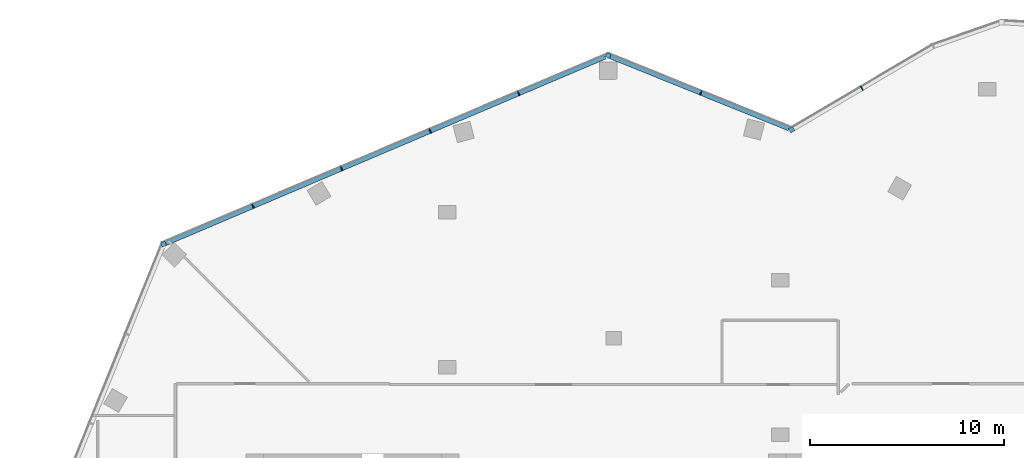
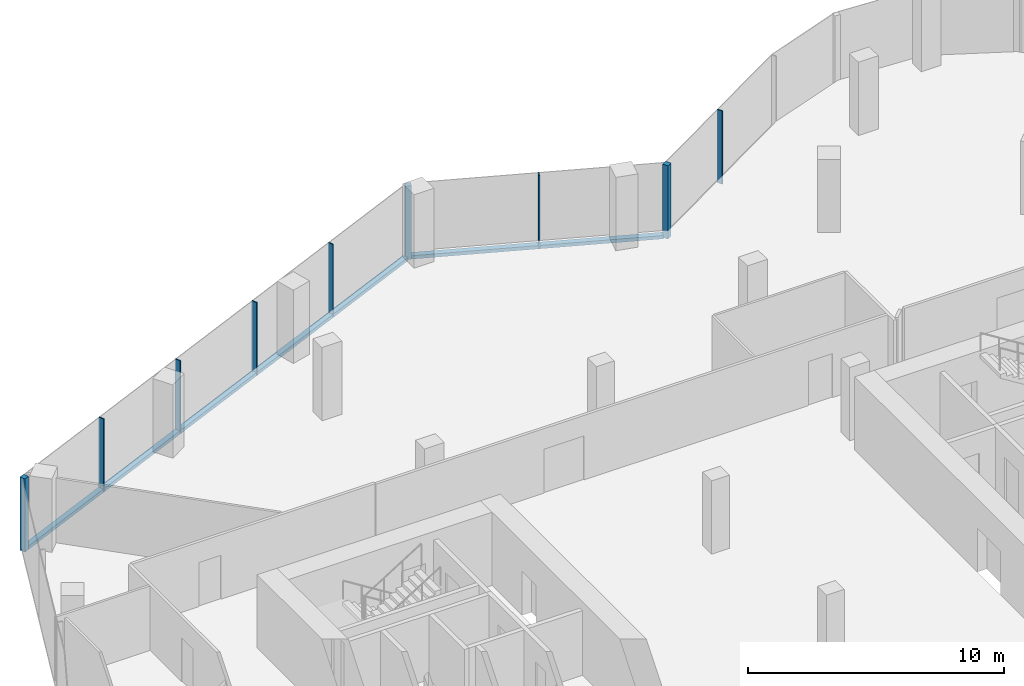
# One storey, part 8 of 15: 11 members, 3 elements without a shape of their own.
"""IFC4 building model written with IfcOpenShell, lengths in metres."""

from ifc_helpers import new_model, si_unit, direction, frame, origin, origin_2d, place, context, subcontext, project, spatial, rectangle, extrude, material, material_profile, profile_set, type_object, element, aggregate, save


model = new_model("IFC4")

# Units and contexts
model_context = context("Model", 3, precision=1e-05, world=origin(), true_north=direction((0.0, 1.0)))
body_context = subcontext(model_context, "Body", "Model", "MODEL_VIEW")
ifc_project = project(units=[si_unit("LENGTHUNIT", "METRE"), si_unit("AREAUNIT", "SQUARE_METRE"), si_unit("VOLUMEUNIT", "CUBIC_METRE"), si_unit("PLANEANGLEUNIT", "RADIAN"), si_unit("MASSUNIT", "GRAM", prefix="KILO")], contexts=[model_context])

# Site, building, storey
site_placement = place(None, origin())
site = spatial("IfcSite", under=ifc_project, at=site_placement, CompositionType="ELEMENT")
building_placement = place(site_placement, origin())
building = spatial("IfcBuilding", under=site, at=building_placement, Name="Orlundy Tower", CompositionType="ELEMENT")
storey_placement = place(building_placement, frame((0.0, 0.0, 278.89990234375)))
storey = spatial("IfcBuildingStorey", under=building, at=storey_placement, Name="L74", CompositionType="ELEMENT", Elevation=278.89990234375)

# Curtain wall, member
ifc_material_1 = material(Name="Aluminium bronze anodised", Category="aluminium")
curtain_wall_type = type_object("IfcCurtainWallType", Name="CW6 wall", PredefinedType="NOTDEFINED", material=ifc_material_1)
curtain_wall_1_placement = place(storey_placement, origin())
curtain_wall_1 = element("IfcCurtainWall", 1, at=curtain_wall_1_placement, inside=storey, type_object=curtain_wall_type, Name="CW6 run 016", PredefinedType="NOTDEFINED")
ifc_material_2 = material(Name="Aluminium bronze anodised", Category="aluminium")
ifc_material_profile_1 = material_profile(ifc_material_2, rectangle(XDim=0.239990234375, YDim=0.239990234375, at=origin_2d()), Name="CW6 corner post 240x240")
ifc_profile_set_1 = profile_set([ifc_material_profile_1], Name="Aluminium bronze anodised")
member_type_1 = type_object("IfcMemberType", Name="CW6 corner post 240x240", PredefinedType="MULLION", material=ifc_profile_set_1)
member_1_placement = place(storey_placement, frame((-23.253662109375, 22.85107421875, -0.39990234375), z_axis=(0.0, 0.0, 1.0), x_axis=(-0.390726531244, 0.920506804854, 0.0)))
member_1 = element("IfcMember", 2, at=member_1_placement, type_object=member_type_1, Name="CW6 mullion 32", PredefinedType="MULLION", context=body_context, shape_type="SweptSolid", body=[
    extrude(rectangle(XDim=0.239990234375, YDim=0.239990234375, at=origin_2d()), origin(), (0.0, 0.0, 1.0), 3.5),
])

curtain_wall_2_placement = place(storey_placement, origin())
curtain_wall_2 = element("IfcCurtainWall", 3, at=curtain_wall_2_placement, inside=storey, type_object=curtain_wall_type, Name="CW6 run 017", PredefinedType="NOTDEFINED")
member_2_placement = place(storey_placement, frame((-0.2841796875, 32.600830078125, -0.39990234375), z_axis=(0.0, 0.0, 1.0), x_axis=(0.374639101319, 0.927170719858, 0.0)))
member_2 = element("IfcMember", 4, at=member_2_placement, type_object=member_type_1, Name="CW6 mullion 37", PredefinedType="MULLION", context=body_context, shape_type="SweptSolid", body=[
    extrude(rectangle(XDim=0.239990234375, YDim=0.239990234375, at=origin_2d()), origin(), (0.0, 0.0, 1.0), 3.5),
])

curtain_wall_3_placement = place(storey_placement, origin())
curtain_wall_3 = element("IfcCurtainWall", 5, at=curtain_wall_3_placement, inside=storey, type_object=curtain_wall_type, Name="CW6 run 018", PredefinedType="NOTDEFINED")
member_3_placement = place(storey_placement, frame((9.197998046875, 28.76953125, -0.39990234375), z_axis=(0.0, 0.0, 1.0), x_axis=(-0.5074810252, 0.861662932394, 0.0)))
member_3 = element("IfcMember", 6, at=member_3_placement, type_object=member_type_1, Name="CW6 mullion 39", PredefinedType="MULLION", context=body_context, shape_type="SweptSolid", body=[
    extrude(rectangle(XDim=0.239990234375, YDim=0.239990234375, at=origin_2d()), origin(), (0.0, 0.0, 1.0), 3.5),
])

# Member
ifc_material_3 = material(Name="Aluminium bronze anodised", Category="aluminium")
ifc_material_profile_2 = material_profile(ifc_material_3, rectangle(XDim=0.239990234375, YDim=0.050048828125, at=origin_2d()), Name="CW6 mullion 50x240")
ifc_profile_set_2 = profile_set([ifc_material_profile_2], Name="Aluminium bronze anodised")
member_type_2 = type_object("IfcMemberType", Name="CW6 mullion 50x240", PredefinedType="MULLION", material=ifc_profile_set_2)
member_4_placement = place(storey_placement, frame((-18.63232421875, 24.812744140625, -0.39990234375), z_axis=(0.0, 0.0, 1.0), x_axis=(-0.390726531244, 0.920506804854, 0.0)))
member_4 = element("IfcMember", 7, at=member_4_placement, type_object=member_type_2, Name="CW6 mullion 33", PredefinedType="MULLION", context=body_context, shape_type="SweptSolid", body=[
    extrude(rectangle(XDim=0.239990234375, YDim=0.050048828125, at=origin_2d()), origin(), (0.0, 0.0, 1.0), 3.5),
])

member_5_placement = place(storey_placement, frame((-14.056640625, 26.7548828125, -0.39990234375), z_axis=(0.0, 0.0, 1.0), x_axis=(-0.390726531244, 0.920506804854, 0.0)))
member_5 = element("IfcMember", 8, at=member_5_placement, type_object=member_type_2, Name="CW6 mullion 34", PredefinedType="MULLION", context=body_context, shape_type="SweptSolid", body=[
    extrude(rectangle(XDim=0.239990234375, YDim=0.050048828125, at=origin_2d()), origin(), (0.0, 0.0, 1.0), 3.5),
])

member_6_placement = place(storey_placement, frame((-9.481201171875, 28.697021484375, -0.39990234375), z_axis=(0.0, 0.0, 1.0), x_axis=(-0.390726531244, 0.920506804854, 0.0)))
member_6 = element("IfcMember", 9, at=member_6_placement, type_object=member_type_2, Name="CW6 mullion 35", PredefinedType="MULLION", context=body_context, shape_type="SweptSolid", body=[
    extrude(rectangle(XDim=0.239990234375, YDim=0.050048828125, at=origin_2d()), origin(), (0.0, 0.0, 1.0), 3.5),
])

member_7_placement = place(storey_placement, frame((-4.905517578125, 30.63916015625, -0.39990234375), z_axis=(0.0, 0.0, 1.0), x_axis=(-0.390726531244, 0.920506804854, 0.0)))
member_7 = element("IfcMember", 10, at=member_7_placement, type_object=member_type_2, Name="CW6 mullion 36", PredefinedType="MULLION", context=body_context, shape_type="SweptSolid", body=[
    extrude(rectangle(XDim=0.239990234375, YDim=0.050048828125, at=origin_2d()), origin(), (0.0, 0.0, 1.0), 3.5),
])

member_8_placement = place(storey_placement, frame((4.507568359375, 30.664794921875, -0.39990234375), z_axis=(0.0, 0.0, 1.0), x_axis=(0.374639101319, 0.927170719858, 0.0)))
member_8 = element("IfcMember", 11, at=member_8_placement, type_object=member_type_2, Name="CW6 mullion 38", PredefinedType="MULLION", context=body_context, shape_type="SweptSolid", body=[
    extrude(rectangle(XDim=0.239990234375, YDim=0.050048828125, at=origin_2d()), origin(), (0.0, 0.0, 1.0), 3.5),
])

member_9_placement = place(storey_placement, frame((12.822998046875, 30.904296875, -0.39990234375), z_axis=(0.0, 0.0, 1.0), x_axis=(-0.5074810252, 0.861662932394, 0.0)))
member_9 = element("IfcMember", 12, at=member_9_placement, type_object=member_type_2, Name="CW6 mullion 40", PredefinedType="MULLION", context=body_context, shape_type="SweptSolid", body=[
    extrude(rectangle(XDim=0.239990234375, YDim=0.050048828125, at=origin_2d()), origin(), (0.0, 0.0, 1.0), 3.5),
])

aggregate(curtain_wall_3, [member_3, member_9])

ifc_material_4 = material(Name="Aluminium bronze anodised", Category="aluminium")
ifc_material_profile_3 = material_profile(ifc_material_4, rectangle(XDim=0.239990234375, YDim=0.159912109375, at=origin_2d()), Name="CW6 transom 240x160")
ifc_profile_set_3 = profile_set([ifc_material_profile_3], Name="Aluminium bronze anodised")
member_type_3 = type_object("IfcMemberType", Name="CW6 transom 240x160", PredefinedType="USERDEFINED", material=ifc_profile_set_3)
member_10_placement = place(storey_placement, frame((-23.14306640625, 22.89794921875, -0.31982421875), z_axis=(0.920504544268, 0.390731856881, 0.0), x_axis=(-0.390731856881, 0.920504544268, 0.0)))
member_10 = element("IfcMember", 13, at=member_10_placement, type_object=member_type_3, Name="CW6 transom", ObjectType="TRANSOM", PredefinedType="USERDEFINED", context=body_context, shape_type="SweptSolid", body=[
    extrude(rectangle(XDim=0.239990234375, YDim=0.159912109375, at=origin_2d()), origin(), (0.0, 0.0, 1.0), 24.663330078125),
])

aggregate(curtain_wall_1, [member_1, member_4, member_5, member_6, member_7, member_10])

member_11_placement = place(storey_placement, frame((-0.1728515625, 32.555908203125, -0.31982421875), z_axis=(0.927173868199, -0.374631309595, 0.0), x_axis=(0.374631309595, 0.927173868199, 0.0)))
member_11 = element("IfcMember", 14, at=member_11_placement, type_object=member_type_3, Name="CW6 transom", ObjectType="TRANSOM", PredefinedType="USERDEFINED", context=body_context, shape_type="SweptSolid", body=[
    extrude(rectangle(XDim=0.239990234375, YDim=0.159912109375, at=origin_2d()), origin(), (0.0, 0.0, 1.0), 9.955810546875),
])

aggregate(curtain_wall_2, [member_2, member_8, member_11])

save(model, "model.ifc")
